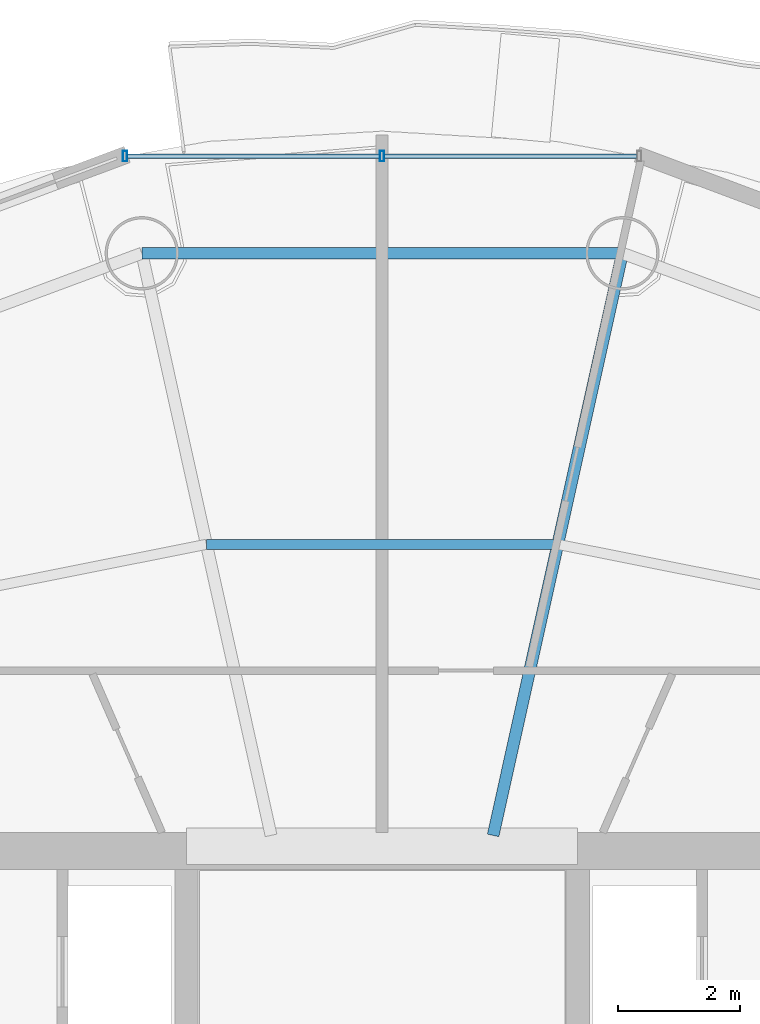
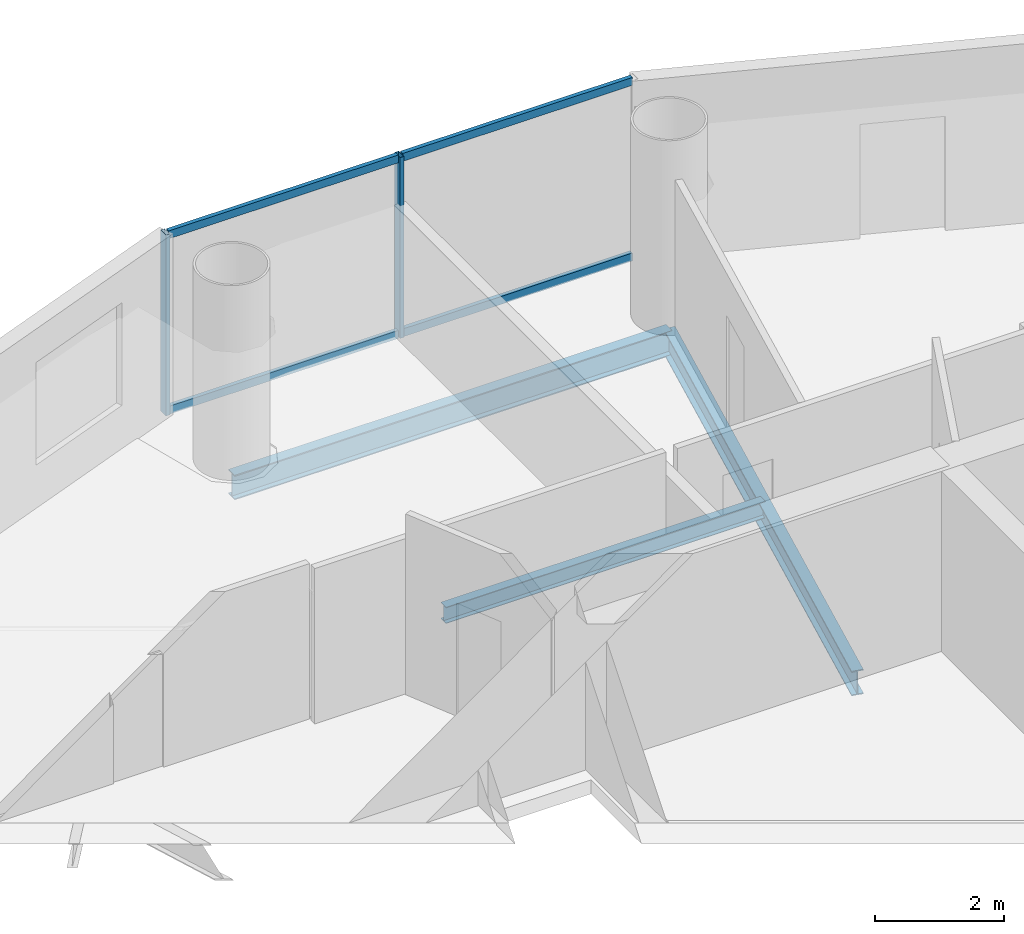
# One storey, part 16 of 27: 6 members, 3 beams, 1 element without a shape of its own.
"""IFC4 building model written with IfcOpenShell, lengths in metres."""

from ifc_helpers import new_model, si_unit, direction, frame, origin, origin_2d, place, context, subcontext, project, spatial, hollow_rectangle, i_section, extrude, source, transform, mapped, material, material_profile, profile_set, type_object, element, aggregate, save


model = new_model("IFC4")

# Units and contexts
model_context = context("Model", 3, precision=1e-05, world=origin(), true_north=direction((-0.2419218956, 0.970295726276)))
body_context = subcontext(model_context, "Body", "Model", "MODEL_VIEW")
ifc_project = project(units=[si_unit("LENGTHUNIT", "METRE"), si_unit("AREAUNIT", "SQUARE_METRE"), si_unit("VOLUMEUNIT", "CUBIC_METRE"), si_unit("PLANEANGLEUNIT", "RADIAN"), si_unit("MASSUNIT", "GRAM", prefix="KILO")], contexts=[model_context])

# Site, building, storey
site_placement = place(None, origin())
site = spatial("IfcSite", under=ifc_project, at=site_placement, CompositionType="ELEMENT")
building_placement = place(site_placement, origin())
building = spatial("IfcBuilding", under=site, at=building_placement, Name="Cobrevalo Terracotta Tower", CompositionType="ELEMENT")
storey_placement = place(building_placement, frame((0.0, 0.0, 191.199951171875)))
storey = spatial("IfcBuildingStorey", under=building, at=storey_placement, Name="L50", CompositionType="ELEMENT", Elevation=191.199951171875)

# Beams
ifc_material_1 = material(Name="Steel S355", Category="steel")
ifc_material_profile_1 = material_profile(ifc_material_1, i_section(OverallWidth=0.194091796875, OverallDepth=0.468994140625, WebThickness=0.011474609375, FlangeThickness=0.0205078125, at=origin_2d()), Name="W 460x106")
ifc_profile_set_1 = profile_set([ifc_material_profile_1], Name="Steel S355")
beam_type_1 = type_object("IfcBeamType", Name="Structural Beam W 460x106 (Steel S355)", PredefinedType="BEAM", material=ifc_profile_set_1)
beam_1_placement = place(storey_placement, frame((41.93115234375, 44.503173828125, -0.49951171875), z_axis=(-0.216782061165, -0.976220025382, 0.0), x_axis=(0.976220025382, -0.216782061165, 0.0)))
element("IfcBeam", 1, at=beam_1_placement, inside=storey, type_object=beam_type_1, Name="L50 radial floor girder 04", PredefinedType="BEAM", context=body_context, shape_type="SweptSolid", body=[
    extrude(i_section(OverallWidth=0.194091796875, OverallDepth=0.468994140625, WebThickness=0.011474609375, FlangeThickness=0.0205078125, at=origin_2d()), origin(), (0.0, 0.0, 1.0), 9.755126953125),
])
ifc_material_profile_2 = material_profile(ifc_material_1, i_section(OverallWidth=0.1650390625, OverallDepth=0.31005859375, WebThickness=0.005859375, FlangeThickness=0.009765625, at=origin_2d()), Name="W 310x38.7")
ifc_profile_set_2 = profile_set([ifc_material_profile_2], Name="Steel S355")
beam_type_2 = type_object("IfcBeamType", Name="Structural Joist W 310x38.7 (Steel S355)", PredefinedType="JOIST", material=ifc_profile_set_2)
beam_2_placement = place(storey_placement, frame((40.873779296875, 39.74169921875, -0.419921875), z_axis=(-1.0, 0.0, 0.0), x_axis=(0.0, -1.0, 0.0)))
element("IfcBeam", 2, at=beam_2_placement, inside=storey, type_object=beam_type_2, Name="L50 circumferential secondary floor joist 04", PredefinedType="JOIST", context=body_context, shape_type="SweptSolid", body=[
    extrude(i_section(OverallWidth=0.1650390625, OverallDepth=0.31005859375, WebThickness=0.005859375, FlangeThickness=0.009765625, at=origin_2d()), origin(), (0.0, 0.0, 1.0), 5.74755859375),
])
ifc_material_profile_3 = material_profile(ifc_material_1, i_section(OverallWidth=0.194091796875, OverallDepth=0.468994140625, WebThickness=0.011474609375, FlangeThickness=0.0205078125, at=origin_2d()), Name="W 460x106")
ifc_profile_set_3 = profile_set([ifc_material_profile_3], Name="Steel S355")
beam_type_3 = type_object("IfcBeamType", Name="Structural Spandrel W 460x106 (Steel S355)", PredefinedType="SPANDREL", material=ifc_profile_set_3)
beam_3_placement = place(storey_placement, frame((41.93115234375, 44.503173828125, -0.49951171875), z_axis=(-1.0, 0.0, 0.0), x_axis=(0.0, -1.0, 0.0)))
element("IfcBeam", 3, at=beam_3_placement, inside=storey, type_object=beam_type_3, Name="L50 perimeter ring spandrel 04", PredefinedType="SPANDREL", context=body_context, shape_type="SweptSolid", body=[
    extrude(i_section(OverallWidth=0.194091796875, OverallDepth=0.468994140625, WebThickness=0.011474609375, FlangeThickness=0.0205078125, at=origin_2d()), origin(), (0.0, 0.0, 1.0), 7.8623046875),
])

# Curtain wall, members
ifc_material_2 = material(Name="Anodized aluminium", Category="aluminium")
curtain_wall_type = type_object("IfcCurtainWallType", Name="Mid-tower high-wind unitised curtain wall CW-U2", PredefinedType="NOTDEFINED", material=ifc_material_2)
curtain_wall_placement = place(storey_placement, origin())
curtain_wall = element("IfcCurtainWall", 4, at=curtain_wall_placement, inside=storey, type_object=curtain_wall_type, Name="L50 curtain wall CW-L50-S04", PredefinedType="NOTDEFINED")
ifc_material_profile_4 = material_profile(ifc_material_2, hollow_rectangle(XDim=0.074951171875, YDim=0.14990234375, WallThickness=0.00439453125, at=origin_2d()), Name="CWT 75x150")
ifc_profile_set_4 = profile_set([ifc_material_profile_4], Name="Anodized aluminium")
member_type_1 = type_object("IfcMemberType", Name="Tower unitised aluminium transom 75x150", PredefinedType="USERDEFINED", material=ifc_profile_set_4)
shared_shape_1 = source(origin(), body_context, "Body", "SweptSolid", [
    extrude(hollow_rectangle(XDim=0.074951171875, YDim=0.14990234375, WallThickness=0.00439453125, at=origin_2d()), origin(), (0.0, 0.0, 1.0), 4.127197265625),
])
member_1_placement = place(storey_placement, frame((42.167236328125, 46.092041015625, 0.050048828125), z_axis=(-1.0, 0.0, 0.0), x_axis=(0.0, -1.0, 0.0)))
member_1 = element("IfcMember", 5, at=member_1_placement, type_object=member_type_1, Name="CW-L50-S04 transom B01-T1", ObjectType="TRANSOM", PredefinedType="USERDEFINED", context=body_context, shape_type="MappedRepresentation", body=[
    mapped(shared_shape_1, transform((0.0, 0.0, 0.0), scale=1.0)),
])
member_2_placement = place(storey_placement, frame((42.167236328125, 46.092041015625, 3.385009765625), z_axis=(-1.0, 0.0, 0.0), x_axis=(0.0, -1.0, 0.0)))
member_2 = element("IfcMember", 6, at=member_2_placement, type_object=member_type_1, Name="CW-L50-S04 transom B01-T2", ObjectType="TRANSOM", PredefinedType="USERDEFINED", context=body_context, shape_type="MappedRepresentation", body=[
    mapped(shared_shape_1, transform((0.0, 0.0, 0.0), scale=1.0)),
])
member_3_placement = place(storey_placement, frame((37.9599609375, 46.092041015625, 0.050048828125), z_axis=(-1.0, 0.0, 0.0), x_axis=(0.0, -1.0, 0.0)))
member_3 = element("IfcMember", 7, at=member_3_placement, type_object=member_type_1, Name="CW-L50-S04 transom B02-T1", ObjectType="TRANSOM", PredefinedType="USERDEFINED", context=body_context, shape_type="MappedRepresentation", body=[
    mapped(shared_shape_1, transform((0.0, 0.0, 0.0), scale=1.0)),
])
member_4_placement = place(storey_placement, frame((37.9599609375, 46.092041015625, 3.385009765625), z_axis=(-1.0, 0.0, 0.0), x_axis=(0.0, -1.0, 0.0)))
member_4 = element("IfcMember", 8, at=member_4_placement, type_object=member_type_1, Name="CW-L50-S04 transom B02-T2", ObjectType="TRANSOM", PredefinedType="USERDEFINED", context=body_context, shape_type="MappedRepresentation", body=[
    mapped(shared_shape_1, transform((0.0, 0.0, 0.0), scale=1.0)),
])
ifc_material_profile_5 = material_profile(ifc_material_2, hollow_rectangle(XDim=0.070068359375, YDim=0.169921875, WallThickness=0.00439453125, at=origin_2d()), Name="CWM 70x170")
ifc_profile_set_5 = profile_set([ifc_material_profile_5], Name="Anodized aluminium")
member_type_2 = type_object("IfcMemberType", Name="Upper tower unitised mullion 70x170", PredefinedType="MULLION", material=ifc_profile_set_5)
shared_shape_2 = source(origin(), body_context, "Body", "SweptSolid", [
    extrude(hollow_rectangle(XDim=0.070068359375, YDim=0.169921875, WallThickness=0.00439453125, at=origin_2d()), origin(), (0.0, 0.0, 1.0), 3.43505859375),
])
member_5_placement = place(storey_placement, frame((38.0, 46.092041015625, 0.0), z_axis=(0.0, 0.0, 1.0), x_axis=(-1.0, 0.0, 0.0)))
member_5 = element("IfcMember", 9, at=member_5_placement, type_object=member_type_2, Name="CW-L50-S04 vertical mullion 02", PredefinedType="MULLION", context=body_context, shape_type="MappedRepresentation", body=[
    mapped(shared_shape_2, transform((0.0, 0.0, 0.0), scale=1.0)),
])
member_6_placement = place(storey_placement, frame((33.79296875, 46.092041015625, 0.0), z_axis=(0.0, 0.0, 1.0), x_axis=(-1.0, 0.0, 0.0)))
member_6 = element("IfcMember", 10, at=member_6_placement, type_object=member_type_2, Name="CW-L50-S04 vertical mullion 03", PredefinedType="MULLION", context=body_context, shape_type="MappedRepresentation", body=[
    mapped(shared_shape_2, transform((0.0, 0.0, 0.0), scale=1.0)),
])
aggregate(curtain_wall, [member_5, member_6, member_1, member_2, member_3, member_4])

save(model, "model.ifc")
